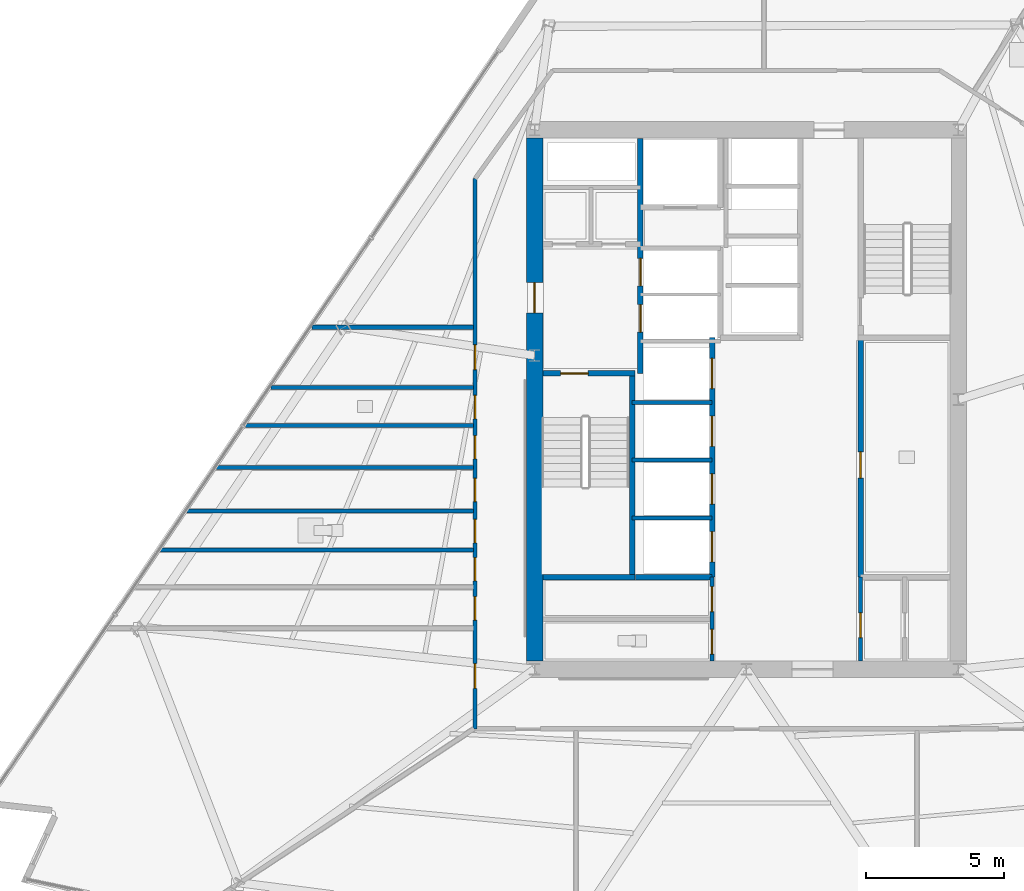
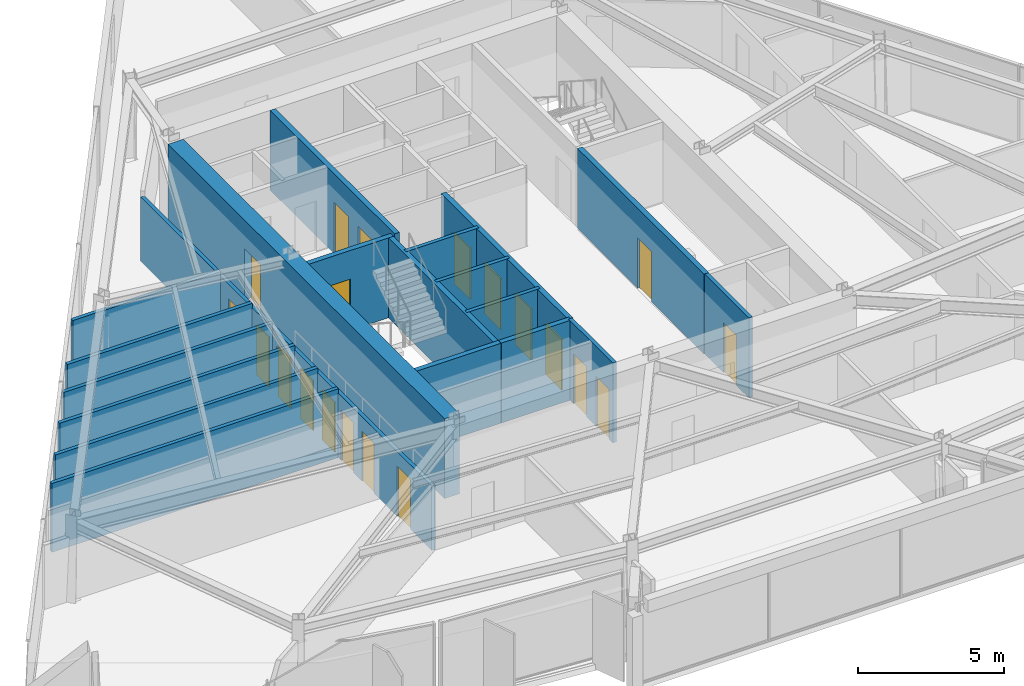
# One storey, part 8 of 15: 20 doors, 20 walls, 20 openings.
"""IFC4 building model written with IfcOpenShell, lengths in metres."""

import ifcopenshell
import ifcopenshell.guid

model = None  # the IFC model being written
_history = None  # IfcOwnerHistory: only IFC2X3 demands one
_inside = {}  # id of a spatial element -> (the spatial element, [elements in it])
_under = {}  # id of a project, library or spatial element -> (it, [spatial elements below it])
_declared = {}  # id of a project -> (the project, [libraries it declares])
_typed = {}  # id of a type object -> (the type object, [elements of that type])
_made_of = {}  # id of a material, layer set ... -> (it, [elements and type objects made of it])


def new_model(schema):
    """Start an empty IFC model of exactly this schema.

    Asked for "IFC4X3", IfcOpenShell would pick the latest addendum, in which some entities
    have other attributes; the version numbers below select the first issue.
    IFC2X3 requires an IfcOwnerHistory on every rooted entity: one is made here for all.
    """
    global model, _history
    if schema == "IFC4X3":
        model = ifcopenshell.file(schema_version=(4, 3, 0, 0))
    else:
        model = ifcopenshell.file(schema=schema)
    _inside.clear()
    _under.clear()
    _declared.clear()
    _typed.clear()
    _made_of.clear()
    _history = None
    if model.schema == "IFC2X3":
        org = make("IfcOrganization", Name="unknown")
        user = make(
            "IfcPersonAndOrganization",
            ThePerson=make("IfcPerson", FamilyName="unknown"),
            TheOrganization=org,
        )
        app = make(
            "IfcApplication",
            ApplicationDeveloper=org,
            Version="unknown",
            ApplicationFullName="unknown",
            ApplicationIdentifier="unknown",
        )
        _history = make(
            "IfcOwnerHistory",
            OwningUser=user,
            OwningApplication=app,
            ChangeAction="ADDED",
            CreationDate=0,
        )
    return model


def make(cls, **values):
    """One entity of the class cls with the attributes given. An attribute that is None is left unset."""
    return model.create_entity(
        cls, **{name: value for name, value in values.items() if value is not None}
    )


def rooted(cls, **values):
    """An entity with a GlobalId (a new one), such as an element, a storey or a relation."""
    return make(cls, GlobalId=ifcopenshell.guid.new(), OwnerHistory=_history, **values)


def si_unit(unit_type, name, prefix=None):
    """IfcSIUnit, for example si_unit("LENGTHUNIT", "METRE", prefix="MILLI")."""
    return make("IfcSIUnit", UnitType=unit_type, Prefix=prefix, Name=name)


def assignment(units):
    """IfcUnitAssignment: the units of a project."""
    return None if units is None else make("IfcUnitAssignment", Units=units)


def point(xyz):
    """IfcCartesianPoint."""
    return None if xyz is None else make("IfcCartesianPoint", Coordinates=xyz)


def direction(xyz):
    """IfcDirection."""
    return None if xyz is None else make("IfcDirection", DirectionRatios=xyz)


def frame(location, z_axis=None, x_axis=None):
    """IfcAxis2Placement3D, a coordinate frame: its origin and axes. An axis left out is left unset."""
    return make(
        "IfcAxis2Placement3D",
        Location=point(location),
        Axis=direction(z_axis),
        RefDirection=direction(x_axis),
    )


def frame_2d(location, x_axis=None):
    """IfcAxis2Placement2D, a coordinate frame in the plane: its origin and x axis."""
    return make(
        "IfcAxis2Placement2D", Location=point(location), RefDirection=direction(x_axis)
    )


def origin():
    """The frame at (0, 0, 0) with its axes left unset."""
    return frame((0.0, 0.0, 0.0))


def place(relative_to, where):
    """IfcLocalPlacement: puts the frame where relative to a parent placement (None: the world)."""
    return make(
        "IfcLocalPlacement", PlacementRelTo=relative_to, RelativePlacement=where
    )


def context(
    kind, dimensions, precision=None, world=None, true_north=None, identifier=None
):
    """IfcGeometricRepresentationContext, for example the 3D "Model" context."""
    return make(
        "IfcGeometricRepresentationContext",
        ContextIdentifier=identifier,
        ContextType=kind,
        CoordinateSpaceDimension=dimensions,
        Precision=precision,
        WorldCoordinateSystem=world,
        TrueNorth=true_north,
    )


def subcontext(parent, identifier, kind, view, scale=None):
    """IfcGeometricRepresentationSubContext, for example "Body" below "Model"."""
    return make(
        "IfcGeometricRepresentationSubContext",
        ContextIdentifier=identifier,
        ContextType=kind,
        ParentContext=parent,
        TargetScale=scale,
        TargetView=view,
    )


def project(units=None, contexts=None):
    """IfcProject with its units and contexts."""
    return rooted(
        "IfcProject",
        Name="project",
        RepresentationContexts=contexts,
        UnitsInContext=assignment(units),
    )


def spatial(cls, under=None, at=None, **own):
    """A site, building, storey or space (cls), placed at a placement, below another one or the project."""
    s = rooted(cls, ObjectPlacement=at, **own)
    if under is not None:
        _under.setdefault(under.id(), (under, []))[1].append(s)
    return s


def profile(cls, at=None, kind="AREA", **sizes):
    """A parametric profile (cls). Its sizes go by their IFC names, for example OverallWidth=200.0."""
    return make(cls, ProfileType=kind, Position=at, **sizes)


def rectangle(**sizes):
    """IfcRectangleProfileDef."""
    return profile("IfcRectangleProfileDef", **sizes)


def extrude(swept, where, along, depth):
    """IfcExtrudedAreaSolid: the profile swept, set in the frame where, extruded along a direction by depth."""
    return make(
        "IfcExtrudedAreaSolid",
        SweptArea=swept,
        Position=where,
        ExtrudedDirection=direction(along),
        Depth=depth,
    )


def shape(context_of_items, identifier, shape_type, items):
    """IfcShapeRepresentation: the items that make up one representation, for example the "Body"."""
    return make(
        "IfcShapeRepresentation",
        ContextOfItems=context_of_items,
        RepresentationIdentifier=identifier,
        RepresentationType=shape_type,
        Items=items,
    )


def material(Name=None, Category=None):
    """IfcMaterial."""
    return make("IfcMaterial", Name=Name, Category=Category)


def layer(
    of_material, thickness, ventilated=None, Name=None, Category=None, Priority=None
):
    """IfcMaterialLayer: one layer of a wall or slab, of a material (None: an air gap)."""
    return make(
        "IfcMaterialLayer",
        Material=of_material,
        LayerThickness=thickness,
        IsVentilated=ventilated,
        Name=Name,
        Category=Category,
        Priority=Priority,
    )


def layer_set(layers, Name=None):
    """IfcMaterialLayerSet."""
    return make("IfcMaterialLayerSet", MaterialLayers=layers, LayerSetName=Name)


def made_of(thing, what):
    """Note that an element or type object is made of a material, layer set ...; save() writes the relation."""
    if what is not None:
        _made_of.setdefault(what.id(), (what, []))[1].append(thing)
    return thing


def type_object(cls, material=None, **own):
    """A type object (cls), such as IfcWallType, which elements share."""
    return made_of(rooted(cls, **own), material)


def element(
    cls,
    number,
    at=None,
    inside=None,
    cuts=None,
    type_object=None,
    material=None,
    context=None,
    identifier="Body",
    shape_type=None,
    held_by="IfcProductDefinitionShape",
    body=None,
    shapes=None,
    **own,
):
    """One element of the class cls, such as IfcWall. Its Tag is "e" and its number.

    at: its placement. inside: the storey or other place that contains it. cuts: it is an
    opening in that element (IfcRelVoidsElement). A single representation is given by context,
    identifier, shape_type and body (its items); several are given by shapes. held_by: the class
    of the entity that holds the representations. save() writes the other relations.
    """
    e = rooted(cls, Tag="e%d" % number, ObjectPlacement=at, **own)
    if body is not None:
        shapes = [shape(context, identifier, shape_type, body)]
    if shapes is not None:
        e.Representation = make(held_by, Representations=shapes)
    if inside is not None:
        _inside.setdefault(inside.id(), (inside, []))[1].append(e)
    if cuts is not None:
        rooted(
            "IfcRelVoidsElement", RelatingBuildingElement=cuts, RelatedOpeningElement=e
        )
    if type_object is not None:
        _typed.setdefault(type_object.id(), (type_object, []))[1].append(e)
    return made_of(e, material)


def fill(opening, filler):
    """IfcRelFillsElement: the door or window that sits in an opening."""
    return rooted(
        "IfcRelFillsElement",
        RelatingOpeningElement=opening,
        RelatedBuildingElement=filler,
    )


def aggregate(whole, parts):
    """IfcRelAggregates: a whole, such as a stair, and the parts it consists of."""
    return rooted("IfcRelAggregates", RelatingObject=whole, RelatedObjects=parts)


def save(model, path):
    """Write the relations noted so far, then the file.

    IfcRelAggregates (storeys below a building ...), IfcRelContainedInSpatialStructure (elements
    in a storey), IfcRelDefinesByType, IfcRelAssociatesMaterial and IfcRelDeclares: one each for
    every whole, place, type object, material and project.
    """
    for whole, parts in _under.values():
        aggregate(whole, parts)
    for where, things in _inside.values():
        rooted(
            "IfcRelContainedInSpatialStructure",
            RelatedElements=things,
            RelatingStructure=where,
        )
    for kind, things in _typed.values():
        rooted("IfcRelDefinesByType", RelatedObjects=things, RelatingType=kind)
    for what, things in _made_of.values():
        rooted("IfcRelAssociatesMaterial", RelatedObjects=things, RelatingMaterial=what)
    for by, libraries in _declared.values():
        rooted("IfcRelDeclares", RelatingContext=by, RelatedDefinitions=libraries)
    model.write(path)


model = new_model("IFC4")

# Units and contexts
model_context = context("Model", 3, precision=1e-05, world=origin(), true_north=direction((0.0, 1.0)))
body_context = subcontext(model_context, "Body", "Model", "MODEL_VIEW")
ifc_project = project(units=[si_unit("LENGTHUNIT", "METRE"), si_unit("AREAUNIT", "SQUARE_METRE"), si_unit("VOLUMEUNIT", "CUBIC_METRE"), si_unit("PLANEANGLEUNIT", "RADIAN"), si_unit("MASSUNIT", "GRAM", prefix="KILO")], contexts=[model_context])

# Site, building, storey
site_placement = place(None, origin())
site = spatial("IfcSite", under=ifc_project, at=site_placement, CompositionType="ELEMENT")
building_placement = place(site_placement, origin())
building = spatial("IfcBuilding", under=site, at=building_placement, Name="Savorim Split Tower", CompositionType="ELEMENT")
storey_placement = place(building_placement, frame((0.0, 0.0, 118.5)))
storey = spatial("IfcBuildingStorey", under=building, at=storey_placement, Name="L31", CompositionType="ELEMENT", Elevation=118.5)

# Wall, opening, door
ifc_material_1 = material(Name="Concrete C60/75", Category="concrete")
ifc_layer_1 = layer(ifc_material_1, 0.60009765625)
ifc_layer_set_1 = layer_set([ifc_layer_1], Name="WAL-COR-SH600")
wall_type_1 = type_object("IfcWallType", Name="WAL-COR-SH600", PredefinedType="SHEAR", material=ifc_layer_set_1)
wall_1_placement = place(storey_placement, frame((-7.699951171875, -9.10009765625, 0.0), z_axis=(0.0, 0.0, 1.0), x_axis=(0.0, 1.0, 0.0)))
wall_1 = element("IfcWall", 1, at=wall_1_placement, inside=storey, type_object=wall_type_1, Name="L31 Offset Core West Shear Wall", PredefinedType="SHEAR", context=body_context, shape_type="SweptSolid", body=[
    extrude(rectangle(XDim=19.0, YDim=0.60009765625, at=frame_2d((9.5, 0.0))), origin(), (0.0, 0.0, 1.0), 3.35009765625),
])
opening_1_placement = place(wall_1_placement, frame((12.64990234375, 0.0, 0.0)))
opening_1 = element("IfcOpeningElement", 2, at=opening_1_placement, cuts=wall_1, Name="Opening DI-03", PredefinedType="OPENING", context=body_context, shape_type="SweptSolid", body=[
    extrude(rectangle(XDim=1.10009765625, YDim=2.14990234375, at=frame_2d((0.550048828125, 1.074951171875))), frame((0.0, 0.31005859375, 0.0), z_axis=(0.0, -1.0, 0.0), x_axis=(1.0, 0.0, 0.0)), (0.0, 0.0, 1.0), 0.6201171875),
])
ifc_material_2 = material(Name="Timber Fire Door Leaf", Category="wood")
door_type_1 = type_object("IfcDoorType", Name="DOR-FIR-1100", OperationType="NOTDEFINED", PredefinedType="DOOR", material=ifc_material_2)
door_1_placement = place(opening_1_placement, origin())
door_1 = element("IfcDoor", 3, at=door_1_placement, inside=storey, type_object=door_type_1, Name="DOR-L31-COR-FFLOB - L31 Firefighting Lobby Corridor Door", OperationType="SINGLE_SWING_LEFT", OverallHeight=2.14990234375, OverallWidth=1.10009765625, PredefinedType="DOOR", context=body_context, shape_type="SweptSolid", body=[
    extrude(rectangle(XDim=1.10009765625, YDim=2.14990234375, at=frame_2d((0.550048828125, 1.074951171875))), frame((0.0, 0.02490234375, 0.0), z_axis=(0.0, -1.0, 0.0), x_axis=(1.0, 0.0, 0.0)), (0.0, 0.0, 1.0), 0.050048828125),
])
fill(opening_1, door_1)

ifc_material_3 = material(Name="Concrete C50/60", Category="concrete")
ifc_layer_2 = layer(ifc_material_3, 0.199951171875)
ifc_layer_set_2 = layer_set([ifc_layer_2], Name="WAL-INT-RC200")
wall_type_2 = type_object("IfcWallType", Name="WAL-INT-RC200", PredefinedType="SOLIDWALL", material=ifc_layer_set_2)
wall_2_placement = place(storey_placement, frame((-7.39990234375, 1.35009765625, 0.0), z_axis=(0.0, 0.0, 1.0), x_axis=(1.0, 0.0, 0.0)))
wall_2 = element("IfcWall", 4, at=wall_2_placement, inside=storey, type_object=wall_type_2, Name="L31 Structural Shaft Wall W-L31-CR01", PredefinedType="SOLIDWALL", context=body_context, shape_type="SweptSolid", body=[
    extrude(rectangle(XDim=3.349853515625, YDim=0.199951171875, at=frame_2d((1.6748046875, 0.0))), origin(), (0.0, 0.0, 1.0), 3.35009765625),
])
opening_2_placement = place(wall_2_placement, frame((0.64990234375, 0.0, 0.0)))
opening_2 = element("IfcOpeningElement", 5, at=opening_2_placement, cuts=wall_2, Name="Opening DI-04", PredefinedType="OPENING", context=body_context, shape_type="SweptSolid", body=[
    extrude(rectangle(XDim=1.0, YDim=2.14990234375, at=frame_2d((0.5, 1.074951171875))), frame((0.0, 0.10986328125, 0.0), z_axis=(0.0, -1.0, 0.0), x_axis=(1.0, 0.0, 0.0)), (0.0, 0.0, 1.0), 0.219970703125),
])
door_type_2 = type_object("IfcDoorType", Name="DOR-FIR-1000", OperationType="NOTDEFINED", PredefinedType="DOOR", material=ifc_material_2)
door_2_placement = place(opening_2_placement, origin())
door_2 = element("IfcDoor", 6, at=door_2_placement, inside=storey, type_object=door_type_2, Name="DR-L31-ST1 - L31 Stair ST-1 Enclosure Door", OperationType="SINGLE_SWING_LEFT", OverallHeight=2.14990234375, OverallWidth=1.0, PredefinedType="DOOR", context=body_context, shape_type="SweptSolid", body=[
    extrude(rectangle(XDim=1.0, YDim=2.14990234375, at=frame_2d((0.5, 1.074951171875))), frame((0.0, 0.02490234375, 0.0), z_axis=(0.0, -1.0, 0.0), x_axis=(1.0, 0.0, 0.0)), (0.0, 0.0, 1.0), 0.050048828125),
])
fill(opening_2, door_2)

# Wall
wall_3_placement = place(storey_placement, frame((-4.14990234375, -5.949951171875, 0.0), z_axis=(0.0, 0.0, 1.0), x_axis=(0.0, 1.0, 0.0)))
element("IfcWall", 7, at=wall_3_placement, inside=storey, type_object=wall_type_2, Name="L31 Structural Shaft Wall W-L31-CR02", PredefinedType="SOLIDWALL", context=body_context, shape_type="SweptSolid", body=[
    extrude(rectangle(XDim=7.199951171875, YDim=0.199951171875, at=frame_2d((3.60009765625, 0.0))), origin(), (0.0, 0.0, 1.0), 3.35009765625),
])

# Wall, openings, doors
wall_4_placement = place(storey_placement, frame((-3.85009765625, 1.35009765625, 0.0), z_axis=(0.0, 0.0, 1.0), x_axis=(0.0, 1.0, 0.0)))
wall_4 = element("IfcWall", 8, at=wall_4_placement, inside=storey, type_object=wall_type_2, Name="L31 Partition W-L31-CR03", PredefinedType="SOLIDWALL", context=body_context, shape_type="SweptSolid", body=[
    extrude(rectangle(XDim=8.544921875, YDim=0.199951171875, at=frame_2d((4.2724609375, 0.0))), origin(), (0.0, 0.0, 1.0), 3.35009765625),
])
opening_3_placement = place(wall_4_placement, frame((1.5, 0.0, 0.0)))
opening_3 = element("IfcOpeningElement", 9, at=opening_3_placement, cuts=wall_4, Name="Opening LD-FFL", PredefinedType="OPENING", context=body_context, shape_type="SweptSolid", body=[
    extrude(rectangle(XDim=1.0, YDim=2.14990234375, at=frame_2d((0.5, 1.074951171875))), frame((0.0, 0.10986328125, 0.0), z_axis=(0.0, -1.0, 0.0), x_axis=(1.0, 0.0, 0.0)), (0.0, 0.0, 1.0), 0.219970703125),
])
opening_4_placement = place(wall_4_placement, frame((3.179931640625, 0.0, 0.0)))
opening_4 = element("IfcOpeningElement", 10, at=opening_4_placement, cuts=wall_4, Name="Opening LD-FFL", PredefinedType="OPENING", context=body_context, shape_type="SweptSolid", body=[
    extrude(rectangle(XDim=1.0, YDim=2.14990234375, at=frame_2d((0.5, 1.074951171875))), frame((0.0, 0.10986328125, 0.0), z_axis=(0.0, -1.0, 0.0), x_axis=(1.0, 0.0, 0.0)), (0.0, 0.0, 1.0), 0.219970703125),
])
ifc_material_4 = material(Name="Charcoal Anodised Aluminium", Category="aluminium")
door_type_3 = type_object("IfcDoorType", Name="DOR-SLD-LD1000", OperationType="NOTDEFINED", PredefinedType="DOOR", material=ifc_material_4)
door_3_placement = place(opening_3_placement, origin())
door_3 = element("IfcDoor", 11, at=door_3_placement, inside=storey, type_object=door_type_3, Name="DR-L31-LD-FFL1 - L31 Firefighting Lift FFL-1 Sliding Landing Door", OperationType="DOUBLE_DOOR_SLIDING", OverallHeight=2.14990234375, OverallWidth=1.0, PredefinedType="DOOR", context=body_context, shape_type="SweptSolid", body=[
    extrude(rectangle(XDim=1.0, YDim=2.14990234375, at=frame_2d((0.5, 1.074951171875))), frame((0.0, 0.02490234375, 0.0), z_axis=(0.0, -1.0, 0.0), x_axis=(1.0, 0.0, 0.0)), (0.0, 0.0, 1.0), 0.050048828125),
])
fill(opening_3, door_3)
door_4_placement = place(opening_4_placement, origin())
door_4 = element("IfcDoor", 12, at=door_4_placement, inside=storey, type_object=door_type_3, Name="DR-L31-LD-FFL2 - L31 Firefighting Lift FFL-2 Sliding Landing Door", OperationType="DOUBLE_DOOR_SLIDING", OverallHeight=2.14990234375, OverallWidth=1.0, PredefinedType="DOOR", context=body_context, shape_type="SweptSolid", body=[
    extrude(rectangle(XDim=1.0, YDim=2.14990234375, at=frame_2d((0.5, 1.074951171875))), frame((0.0, 0.02490234375, 0.0), z_axis=(0.0, -1.0, 0.0), x_axis=(1.0, 0.0, 0.0)), (0.0, 0.0, 1.0), 0.050048828125),
])
fill(opening_4, door_4)

# Wall, opening, door
wall_5_placement = place(storey_placement, frame((4.14990234375, -6.050048828125, 0.0), z_axis=(0.0, 0.0, 1.0), x_axis=(0.0, 1.0, 0.0)))
wall_5 = element("IfcWall", 13, at=wall_5_placement, inside=storey, type_object=wall_type_2, Name="L31 Partition W-L31-B1FRONT", PredefinedType="SOLIDWALL", context=body_context, shape_type="SweptSolid", body=[
    extrude(rectangle(XDim=8.699951171875, YDim=0.199951171875, at=frame_2d((4.35009765625, 0.0))), origin(), (0.0, 0.0, 1.0), 3.35009765625),
])
opening_5_placement = place(wall_5_placement, frame((3.60009765625, 0.0, 0.0)))
opening_5 = element("IfcOpeningElement", 14, at=opening_5_placement, cuts=wall_5, Name="Opening DI-05", PredefinedType="OPENING", context=body_context, shape_type="SweptSolid", body=[
    extrude(rectangle(XDim=0.949951171875, YDim=2.10009765625, at=frame_2d((0.47509765625, 1.050048828125))), frame((0.0, 0.10986328125, 0.0), z_axis=(0.0, -1.0, 0.0), x_axis=(1.0, 0.0, 0.0)), (0.0, 0.0, 1.0), 0.219970703125),
])
door_type_4 = type_object("IfcDoorType", Name="DOR-FIR-950", OperationType="NOTDEFINED", PredefinedType="DOOR", material=ifc_material_2)
door_5_placement = place(opening_5_placement, origin())
door_5 = element("IfcDoor", 15, at=door_5_placement, inside=storey, type_object=door_type_4, Name="DR-L31-LV7B1 - L31 Community Laundry Room Door", OperationType="SINGLE_SWING_RIGHT", OverallHeight=2.10009765625, OverallWidth=0.949951171875, PredefinedType="DOOR", context=body_context, shape_type="SweptSolid", body=[
    extrude(rectangle(XDim=0.949951171875, YDim=2.10009765625, at=frame_2d((0.47509765625, 1.050048828125))), frame((0.0, 0.02490234375, 0.0), z_axis=(0.0, -1.0, 0.0), x_axis=(1.0, 0.0, 0.0)), (0.0, 0.0, 1.0), 0.050048828125),
])
fill(opening_5, door_5)

# Wall, openings, doors
wall_6_placement = place(storey_placement, frame((-1.25, -6.050048828125, 0.0), z_axis=(0.0, 0.0, 1.0), x_axis=(0.0, 1.0, 0.0)))
wall_6 = element("IfcWall", 16, at=wall_6_placement, inside=storey, type_object=wall_type_2, Name="L31 Partition W-L31-B2FRONT", PredefinedType="SOLIDWALL", context=body_context, shape_type="SweptSolid", body=[
    extrude(rectangle(XDim=8.699951171875, YDim=0.199951171875, at=frame_2d((4.35009765625, 0.0))), origin(), (0.0, 0.0, 1.0), 3.35009765625),
])
opening_6_placement = place(wall_6_placement, frame((0.550048828125, 0.0, 0.0)))
opening_6 = element("IfcOpeningElement", 17, at=opening_6_placement, cuts=wall_6, Name="Opening LD-02", PredefinedType="OPENING", context=body_context, shape_type="SweptSolid", body=[
    extrude(rectangle(XDim=1.10009765625, YDim=2.14990234375, at=frame_2d((0.550048828125, 1.074951171875))), frame((0.0, 0.10986328125, 0.0), z_axis=(0.0, -1.0, 0.0), x_axis=(1.0, 0.0, 0.0)), (0.0, 0.0, 1.0), 0.219970703125),
])
opening_7_placement = place(wall_6_placement, frame((2.64990234375, 0.0, 0.0)))
opening_7 = element("IfcOpeningElement", 18, at=opening_7_placement, cuts=wall_6, Name="Opening LD-02", PredefinedType="OPENING", context=body_context, shape_type="SweptSolid", body=[
    extrude(rectangle(XDim=1.10009765625, YDim=2.14990234375, at=frame_2d((0.550048828125, 1.074951171875))), frame((0.0, 0.10986328125, 0.0), z_axis=(0.0, -1.0, 0.0), x_axis=(1.0, 0.0, 0.0)), (0.0, 0.0, 1.0), 0.219970703125),
])
opening_8_placement = place(wall_6_placement, frame((4.75, 0.0, 0.0)))
opening_8 = element("IfcOpeningElement", 19, at=opening_8_placement, cuts=wall_6, Name="Opening LD-02", PredefinedType="OPENING", context=body_context, shape_type="SweptSolid", body=[
    extrude(rectangle(XDim=1.10009765625, YDim=2.14990234375, at=frame_2d((0.550048828125, 1.074951171875))), frame((0.0, 0.10986328125, 0.0), z_axis=(0.0, -1.0, 0.0), x_axis=(1.0, 0.0, 0.0)), (0.0, 0.0, 1.0), 0.219970703125),
])
opening_9_placement = place(wall_6_placement, frame((6.85009765625, 0.0, 0.0)))
opening_9 = element("IfcOpeningElement", 20, at=opening_9_placement, cuts=wall_6, Name="Opening LD-02", PredefinedType="OPENING", context=body_context, shape_type="SweptSolid", body=[
    extrude(rectangle(XDim=1.10009765625, YDim=2.14990234375, at=frame_2d((0.550048828125, 1.074951171875))), frame((0.0, 0.10986328125, 0.0), z_axis=(0.0, -1.0, 0.0), x_axis=(1.0, 0.0, 0.0)), (0.0, 0.0, 1.0), 0.219970703125),
])
door_type_5 = type_object("IfcDoorType", Name="DOR-SLD-LDM1100", OperationType="NOTDEFINED", PredefinedType="DOOR", material=ifc_material_4)
door_6_placement = place(opening_6_placement, origin())
door_6 = element("IfcDoor", 21, at=door_6_placement, inside=storey, type_object=door_type_5, Name="DR-L31-LD-PLM1 - L31 Lift PL-M1 Sliding Landing Door", OperationType="DOUBLE_DOOR_SLIDING", OverallHeight=2.14990234375, OverallWidth=1.10009765625, PredefinedType="DOOR", context=body_context, shape_type="SweptSolid", body=[
    extrude(rectangle(XDim=1.10009765625, YDim=2.14990234375, at=frame_2d((0.550048828125, 1.074951171875))), frame((0.0, 0.02490234375, 0.0), z_axis=(0.0, -1.0, 0.0), x_axis=(1.0, 0.0, 0.0)), (0.0, 0.0, 1.0), 0.050048828125),
])
fill(opening_6, door_6)
door_7_placement = place(opening_7_placement, origin())
door_7 = element("IfcDoor", 22, at=door_7_placement, inside=storey, type_object=door_type_5, Name="DR-L31-LD-PLM2 - L31 Lift PL-M2 Sliding Landing Door", OperationType="DOUBLE_DOOR_SLIDING", OverallHeight=2.14990234375, OverallWidth=1.10009765625, PredefinedType="DOOR", context=body_context, shape_type="SweptSolid", body=[
    extrude(rectangle(XDim=1.10009765625, YDim=2.14990234375, at=frame_2d((0.550048828125, 1.074951171875))), frame((0.0, 0.02490234375, 0.0), z_axis=(0.0, -1.0, 0.0), x_axis=(1.0, 0.0, 0.0)), (0.0, 0.0, 1.0), 0.050048828125),
])
fill(opening_7, door_7)
door_8_placement = place(opening_8_placement, origin())
door_8 = element("IfcDoor", 23, at=door_8_placement, inside=storey, type_object=door_type_5, Name="DR-L31-LD-PLM3 - L31 Lift PL-M3 Sliding Landing Door", OperationType="DOUBLE_DOOR_SLIDING", OverallHeight=2.14990234375, OverallWidth=1.10009765625, PredefinedType="DOOR", context=body_context, shape_type="SweptSolid", body=[
    extrude(rectangle(XDim=1.10009765625, YDim=2.14990234375, at=frame_2d((0.550048828125, 1.074951171875))), frame((0.0, 0.02490234375, 0.0), z_axis=(0.0, -1.0, 0.0), x_axis=(1.0, 0.0, 0.0)), (0.0, 0.0, 1.0), 0.050048828125),
])
fill(opening_8, door_8)
door_9_placement = place(opening_9_placement, origin())
door_9 = element("IfcDoor", 24, at=door_9_placement, inside=storey, type_object=door_type_5, Name="DR-L31-LD-PLM4 - L31 Lift PL-M4 Sliding Landing Door", OperationType="DOUBLE_DOOR_SLIDING", OverallHeight=2.14990234375, OverallWidth=1.10009765625, PredefinedType="DOOR", context=body_context, shape_type="SweptSolid", body=[
    extrude(rectangle(XDim=1.10009765625, YDim=2.14990234375, at=frame_2d((0.550048828125, 1.074951171875))), frame((0.0, 0.02490234375, 0.0), z_axis=(0.0, -1.0, 0.0), x_axis=(1.0, 0.0, 0.0)), (0.0, 0.0, 1.0), 0.050048828125),
])
fill(opening_9, door_9)

# Walls
wall_7_placement = place(storey_placement, frame((-7.39990234375, -6.050048828125, 0.0), z_axis=(0.0, 0.0, 1.0), x_axis=(1.0, 0.0, 0.0)))
element("IfcWall", 25, at=wall_7_placement, inside=storey, type_object=wall_type_2, Name="L31 Structural Shaft Wall W-L31-KSEP-W", PredefinedType="SOLIDWALL", context=body_context, shape_type="SweptSolid", body=[
    extrude(rectangle(XDim=3.349853515625, YDim=0.199951171875, at=frame_2d((1.6748046875, 0.0))), origin(), (0.0, 0.0, 1.0), 3.35009765625),
])
wall_8_placement = place(storey_placement, frame((-4.0400390625, -6.050048828125, 0.0), z_axis=(0.0, 0.0, 1.0), x_axis=(1.0, 0.0, 0.0)))
element("IfcWall", 26, at=wall_8_placement, inside=storey, type_object=wall_type_2, Name="L31 Partition W-L31-KSEP-W2", PredefinedType="SOLIDWALL", context=body_context, shape_type="SweptSolid", body=[
    extrude(rectangle(XDim=2.7900390625, YDim=0.199951171875, at=frame_2d((1.39501953125, 0.0))), origin(), (0.0, 0.0, 1.0), 3.35009765625),
])
ifc_material_5 = material(Name="Acoustic Gypsum Partition Board")
ifc_layer_3 = layer(ifc_material_5, 0.14990234375)
ifc_layer_set_3 = layer_set([ifc_layer_3], Name="WAL-PAR-150")
wall_type_3 = type_object("IfcWallType", Name="WAL-PAR-150", PredefinedType="PARTITIONING", material=ifc_layer_set_3)
for number, where, z_axis, x_axis, name in (
    (27, (-4.14990234375, -3.89990234375, 0.0), (0.0, 0.0, 1.0), (1.0, 0.0, 0.0), "L31 Partition W-L31-B2DIV1"),
    (28, (-4.14990234375, -1.800048828125, 0.0), (0.0, 0.0, 1.0), (1.0, 0.0, 0.0), "L31 Partition W-L31-B2DIV2"),
    (29, (-4.14990234375, 0.300048828125, 0.0), (0.0, 0.0, 1.0), (1.0, 0.0, 0.0), "L31 Partition W-L31-B2DIV3"),
):
    element("IfcWall", number, at=place(storey_placement, frame(where, z_axis=z_axis, x_axis=x_axis)), inside=storey, type_object=wall_type_3, Name=name, PredefinedType="PARTITIONING", context=body_context, shape_type="SweptSolid", body=[
        extrude(rectangle(XDim=2.89990234375, YDim=0.14990234375, at=frame_2d((1.449951171875, 0.0))), origin(), (0.0, 0.0, 1.0), 3.35009765625),
    ])

# Wall, openings, doors
wall_9_placement = place(storey_placement, frame((-1.25, -9.094970703125, 0.0), z_axis=(0.0, 0.0, 1.0), x_axis=(0.0, 1.0, 0.0)))
wall_9 = element("IfcWall", 30, at=wall_9_placement, inside=storey, type_object=wall_type_3, Name="L31 Partition W-L31-KLOB-W", PredefinedType="PARTITIONING", context=body_context, shape_type="SweptSolid", body=[
    extrude(rectangle(XDim=3.044921875, YDim=0.14990234375, at=frame_2d((1.5224609375, 0.0))), origin(), (0.0, 0.0, 1.0), 3.35009765625),
])
opening_10_placement = place(wall_9_placement, frame((1.794921875, 0.0, 0.0)))
opening_10 = element("IfcOpeningElement", 31, at=opening_10_placement, cuts=wall_9, Name="Opening DI-06", PredefinedType="OPENING", context=body_context, shape_type="SweptSolid", body=[
    extrude(rectangle(XDim=0.89990234375, YDim=2.10009765625, at=frame_2d((0.449951171875, 1.050048828125))), frame((0.0, 0.0849609375, 0.0), z_axis=(0.0, -1.0, 0.0), x_axis=(1.0, 0.0, 0.0)), (0.0, 0.0, 1.0), 0.169921875),
])
opening_11_placement = place(wall_9_placement, frame((0.2451171875, 0.0, 0.0)))
opening_11 = element("IfcOpeningElement", 32, at=opening_11_placement, cuts=wall_9, Name="Opening DI-11", PredefinedType="OPENING", context=body_context, shape_type="SweptSolid", body=[
    extrude(rectangle(XDim=0.89990234375, YDim=2.10009765625, at=frame_2d((0.449951171875, 1.050048828125))), frame((0.0, 0.0849609375, 0.0), z_axis=(0.0, -1.0, 0.0), x_axis=(1.0, 0.0, 0.0)), (0.0, 0.0, 1.0), 0.169921875),
])
door_type_6 = type_object("IfcDoorType", Name="DOR-FIR-900", OperationType="NOTDEFINED", PredefinedType="DOOR", material=ifc_material_2)
door_10_placement = place(opening_10_placement, origin())
door_10 = element("IfcDoor", 33, at=door_10_placement, inside=storey, type_object=door_type_6, Name="DR-L31-K2CLN - L31 Cleaning Store Door", OperationType="SINGLE_SWING_LEFT", OverallHeight=2.10009765625, OverallWidth=0.89990234375, PredefinedType="DOOR", context=body_context, shape_type="SweptSolid", body=[
    extrude(rectangle(XDim=0.89990234375, YDim=2.10009765625, at=frame_2d((0.449951171875, 1.050048828125))), frame((0.0, 0.02490234375, 0.0), z_axis=(0.0, -1.0, 0.0), x_axis=(1.0, 0.0, 0.0)), (0.0, 0.0, 1.0), 0.050048828125),
])
fill(opening_10, door_10)
ifc_material_6 = material(Name="Oak Veneer Acoustic Door")
door_type_7 = type_object("IfcDoorType", Name="DOR-WC-900", OperationType="NOTDEFINED", PredefinedType="DOOR", material=ifc_material_6)
door_11_placement = place(opening_11_placement, origin())
door_11 = element("IfcDoor", 34, at=door_11_placement, inside=storey, type_object=door_type_7, Name="DR-L31-K2WC - L31 Core WC Door", OperationType="SINGLE_SWING_RIGHT", OverallHeight=2.10009765625, OverallWidth=0.89990234375, PredefinedType="DOOR", context=body_context, shape_type="SweptSolid", body=[
    extrude(rectangle(XDim=0.89990234375, YDim=2.10009765625, at=frame_2d((0.449951171875, 1.050048828125))), frame((0.0, 0.02490234375, 0.0), z_axis=(0.0, -1.0, 0.0), x_axis=(1.0, 0.0, 0.0)), (0.0, 0.0, 1.0), 0.050048828125),
])
fill(opening_11, door_11)

# Wall, opening, door
wall_10_placement = place(storey_placement, frame((4.14990234375, -9.094970703125, 0.0), z_axis=(0.0, 0.0, 1.0), x_axis=(0.0, 1.0, 0.0)))
wall_10 = element("IfcWall", 35, at=wall_10_placement, inside=storey, type_object=wall_type_3, Name="L31 Partition W-L31-KLOB-E", PredefinedType="PARTITIONING", context=body_context, shape_type="SweptSolid", body=[
    extrude(rectangle(XDim=3.044921875, YDim=0.14990234375, at=frame_2d((1.5224609375, 0.0))), origin(), (0.0, 0.0, 1.0), 3.35009765625),
])
opening_12_placement = place(wall_10_placement, frame((0.844970703125, 0.0, 0.0)))
opening_12 = element("IfcOpeningElement", 36, at=opening_12_placement, cuts=wall_10, Name="Opening DI-06", PredefinedType="OPENING", context=body_context, shape_type="SweptSolid", body=[
    extrude(rectangle(XDim=0.89990234375, YDim=2.10009765625, at=frame_2d((0.449951171875, 1.050048828125))), frame((0.0, 0.0849609375, 0.0), z_axis=(0.0, -1.0, 0.0), x_axis=(1.0, 0.0, 0.0)), (0.0, 0.0, 1.0), 0.169921875),
])
door_12_placement = place(opening_12_placement, origin())
door_12 = element("IfcDoor", 37, at=door_12_placement, inside=storey, type_object=door_type_6, Name="DR-L31-K2PAN - L31 Vending Pantry Door", OperationType="SINGLE_SWING_LEFT", OverallHeight=2.10009765625, OverallWidth=0.89990234375, PredefinedType="DOOR", context=body_context, shape_type="SweptSolid", body=[
    extrude(rectangle(XDim=0.89990234375, YDim=2.10009765625, at=frame_2d((0.449951171875, 1.050048828125))), frame((0.0, 0.02490234375, 0.0), z_axis=(0.0, -1.0, 0.0), x_axis=(1.0, 0.0, 0.0)), (0.0, 0.0, 1.0), 0.050048828125),
])
fill(opening_12, door_12)

# Wall, openings, doors
wall_11_placement = place(storey_placement, frame((-9.860107421875, -11.56005859375, 0.0), z_axis=(0.0, 0.0, 1.0), x_axis=(0.0, 1.0, 0.0)))
wall_11 = element("IfcWall", 38, at=wall_11_placement, inside=storey, type_object=wall_type_3, Name="L31 Partition W-L31-COR-01", PredefinedType="PARTITIONING", context=body_context, shape_type="SweptSolid", body=[
    extrude(rectangle(XDim=19.98583984375, YDim=0.14990234375, at=frame_2d((9.992919921875, 0.0))), origin(), (0.0, 0.0, 1.0), 2.705078125),
])
opening_13_placement = place(wall_11_placement, frame((11.2607421875, 0.0, 0.0)))
opening_13 = element("IfcOpeningElement", 39, at=opening_13_placement, cuts=wall_11, Name="Opening DI-13", PredefinedType="OPENING", context=body_context, shape_type="SweptSolid", body=[
    extrude(rectangle(XDim=0.85009765625, YDim=2.10009765625, at=frame_2d((0.425048828125, 1.050048828125))), frame((0.0, 0.0849609375, 0.0), z_axis=(0.0, -1.0, 0.0), x_axis=(1.0, 0.0, 0.0)), (0.0, 0.0, 1.0), 0.169921875),
])
opening_14_placement = place(wall_11_placement, frame((9.802001953125, 0.0, 0.0)))
opening_14 = element("IfcOpeningElement", 40, at=opening_14_placement, cuts=wall_11, Name="Opening DI-13", PredefinedType="OPENING", context=body_context, shape_type="SweptSolid", body=[
    extrude(rectangle(XDim=0.85009765625, YDim=2.10009765625, at=frame_2d((0.425048828125, 1.050048828125))), frame((0.0, 0.0849609375, 0.0), z_axis=(0.0, -1.0, 0.0), x_axis=(1.0, 0.0, 0.0)), (0.0, 0.0, 1.0), 0.169921875),
])
opening_15_placement = place(wall_11_placement, frame((8.250244140625, 0.0, 0.0)))
opening_15 = element("IfcOpeningElement", 41, at=opening_15_placement, cuts=wall_11, Name="Opening DI-13", PredefinedType="OPENING", context=body_context, shape_type="SweptSolid", body=[
    extrude(rectangle(XDim=0.85009765625, YDim=2.10009765625, at=frame_2d((0.425048828125, 1.050048828125))), frame((0.0, 0.0849609375, 0.0), z_axis=(0.0, -1.0, 0.0), x_axis=(1.0, 0.0, 0.0)), (0.0, 0.0, 1.0), 0.169921875),
])
opening_16_placement = place(wall_11_placement, frame((6.75390625, 0.0, 0.0)))
opening_16 = element("IfcOpeningElement", 42, at=opening_16_placement, cuts=wall_11, Name="Opening DI-13", PredefinedType="OPENING", context=body_context, shape_type="SweptSolid", body=[
    extrude(rectangle(XDim=0.85009765625, YDim=2.10009765625, at=frame_2d((0.425048828125, 1.050048828125))), frame((0.0, 0.0849609375, 0.0), z_axis=(0.0, -1.0, 0.0), x_axis=(1.0, 0.0, 0.0)), (0.0, 0.0, 1.0), 0.169921875),
])
opening_17_placement = place(wall_11_placement, frame((5.369384765625, 0.0, 0.0)))
opening_17 = element("IfcOpeningElement", 43, at=opening_17_placement, cuts=wall_11, Name="Opening DI-13", PredefinedType="OPENING", context=body_context, shape_type="SweptSolid", body=[
    extrude(rectangle(XDim=0.85009765625, YDim=2.10009765625, at=frame_2d((0.425048828125, 1.050048828125))), frame((0.0, 0.0849609375, 0.0), z_axis=(0.0, -1.0, 0.0), x_axis=(1.0, 0.0, 0.0)), (0.0, 0.0, 1.0), 0.169921875),
])
opening_18_placement = place(wall_11_placement, frame((3.9482421875, 0.0, 0.0)))
opening_18 = element("IfcOpeningElement", 44, at=opening_18_placement, cuts=wall_11, Name="Opening DI-13", PredefinedType="OPENING", context=body_context, shape_type="SweptSolid", body=[
    extrude(rectangle(XDim=0.85009765625, YDim=2.10009765625, at=frame_2d((0.425048828125, 1.050048828125))), frame((0.0, 0.0849609375, 0.0), z_axis=(0.0, -1.0, 0.0), x_axis=(1.0, 0.0, 0.0)), (0.0, 0.0, 1.0), 0.169921875),
])
opening_19_placement = place(wall_11_placement, frame((1.46484375, 0.0, 0.0)))
opening_19 = element("IfcOpeningElement", 45, at=opening_19_placement, cuts=wall_11, Name="Opening DI-06", PredefinedType="OPENING", context=body_context, shape_type="SweptSolid", body=[
    extrude(rectangle(XDim=0.89990234375, YDim=2.10009765625, at=frame_2d((0.449951171875, 1.050048828125))), frame((0.0, 0.0849609375, 0.0), z_axis=(0.0, -1.0, 0.0), x_axis=(1.0, 0.0, 0.0)), (0.0, 0.0, 1.0), 0.169921875),
])
opening_20_placement = place(wall_11_placement, frame((13.046630859375, 0.0, 0.0)))
opening_20 = element("IfcOpeningElement", 46, at=opening_20_placement, cuts=wall_11, Name="Opening DI-06", PredefinedType="OPENING", context=body_context, shape_type="SweptSolid", body=[
    extrude(rectangle(XDim=0.89990234375, YDim=2.10009765625, at=frame_2d((0.449951171875, 1.050048828125))), frame((0.0, 0.0849609375, 0.0), z_axis=(0.0, -1.0, 0.0), x_axis=(1.0, 0.0, 0.0)), (0.0, 0.0, 1.0), 0.169921875),
])
door_type_8 = type_object("IfcDoorType", Name="DOR-FIR-850", OperationType="NOTDEFINED", PredefinedType="DOOR", material=ifc_material_2)
door_13_placement = place(opening_13_placement, origin())
door_13 = element("IfcDoor", 47, at=door_13_placement, inside=storey, type_object=door_type_8, Name="DR-L31-RM01 - L31 Shared Kitchen Entry Door", OperationType="SINGLE_SWING_RIGHT", OverallHeight=2.10009765625, OverallWidth=0.85009765625, PredefinedType="DOOR", context=body_context, shape_type="SweptSolid", body=[
    extrude(rectangle(XDim=0.85009765625, YDim=2.10009765625, at=frame_2d((0.425048828125, 1.050048828125))), frame((0.0, 0.02490234375, 0.0), z_axis=(0.0, -1.0, 0.0), x_axis=(1.0, 0.0, 0.0)), (0.0, 0.0, 1.0), 0.050048828125),
])
fill(opening_13, door_13)
door_14_placement = place(opening_14_placement, origin())
door_14 = element("IfcDoor", 48, at=door_14_placement, inside=storey, type_object=door_type_8, Name="DR-L31-RM02 - L31 Maker Workshop Entry Door", OperationType="SINGLE_SWING_LEFT", OverallHeight=2.10009765625, OverallWidth=0.85009765625, PredefinedType="DOOR", context=body_context, shape_type="SweptSolid", body=[
    extrude(rectangle(XDim=0.85009765625, YDim=2.10009765625, at=frame_2d((0.425048828125, 1.050048828125))), frame((0.0, 0.02490234375, 0.0), z_axis=(0.0, -1.0, 0.0), x_axis=(1.0, 0.0, 0.0)), (0.0, 0.0, 1.0), 0.050048828125),
])
fill(opening_14, door_14)
door_15_placement = place(opening_15_placement, origin())
door_15 = element("IfcDoor", 49, at=door_15_placement, inside=storey, type_object=door_type_8, Name="DR-L31-RM03 - L31 Quiet Study Room Entry Door", OperationType="SINGLE_SWING_RIGHT", OverallHeight=2.10009765625, OverallWidth=0.85009765625, PredefinedType="DOOR", context=body_context, shape_type="SweptSolid", body=[
    extrude(rectangle(XDim=0.85009765625, YDim=2.10009765625, at=frame_2d((0.425048828125, 1.050048828125))), frame((0.0, 0.02490234375, 0.0), z_axis=(0.0, -1.0, 0.0), x_axis=(1.0, 0.0, 0.0)), (0.0, 0.0, 1.0), 0.050048828125),
])
fill(opening_15, door_15)
door_16_placement = place(opening_16_placement, origin())
door_16 = element("IfcDoor", 50, at=door_16_placement, inside=storey, type_object=door_type_8, Name="DR-L31-RM04 - L31 Shared Bathroom Entry Door", OperationType="SINGLE_SWING_LEFT", OverallHeight=2.10009765625, OverallWidth=0.85009765625, PredefinedType="DOOR", context=body_context, shape_type="SweptSolid", body=[
    extrude(rectangle(XDim=0.85009765625, YDim=2.10009765625, at=frame_2d((0.425048828125, 1.050048828125))), frame((0.0, 0.02490234375, 0.0), z_axis=(0.0, -1.0, 0.0), x_axis=(1.0, 0.0, 0.0)), (0.0, 0.0, 1.0), 0.050048828125),
])
fill(opening_16, door_16)
door_17_placement = place(opening_17_placement, origin())
door_17 = element("IfcDoor", 51, at=door_17_placement, inside=storey, type_object=door_type_8, Name="DR-L31-RM05 - L31 Maker Workshop Entry Door", OperationType="SINGLE_SWING_RIGHT", OverallHeight=2.10009765625, OverallWidth=0.85009765625, PredefinedType="DOOR", context=body_context, shape_type="SweptSolid", body=[
    extrude(rectangle(XDim=0.85009765625, YDim=2.10009765625, at=frame_2d((0.425048828125, 1.050048828125))), frame((0.0, 0.02490234375, 0.0), z_axis=(0.0, -1.0, 0.0), x_axis=(1.0, 0.0, 0.0)), (0.0, 0.0, 1.0), 0.050048828125),
])
fill(opening_17, door_17)
door_18_placement = place(opening_18_placement, origin())
door_18 = element("IfcDoor", 52, at=door_18_placement, inside=storey, type_object=door_type_8, Name="DR-L31-RM06 - L31 Quiet Study Room Entry Door", OperationType="SINGLE_SWING_LEFT", OverallHeight=2.10009765625, OverallWidth=0.85009765625, PredefinedType="DOOR", context=body_context, shape_type="SweptSolid", body=[
    extrude(rectangle(XDim=0.85009765625, YDim=2.10009765625, at=frame_2d((0.425048828125, 1.050048828125))), frame((0.0, 0.02490234375, 0.0), z_axis=(0.0, -1.0, 0.0), x_axis=(1.0, 0.0, 0.0)), (0.0, 0.0, 1.0), 0.050048828125),
])
fill(opening_18, door_18)
door_19_placement = place(opening_19_placement, origin())
door_19 = element("IfcDoor", 53, at=door_19_placement, inside=storey, type_object=door_type_6, Name="DR-L31-RM07 - L31 Maker Workshop Entry Door", OperationType="SINGLE_SWING_RIGHT", OverallHeight=2.10009765625, OverallWidth=0.89990234375, PredefinedType="DOOR", context=body_context, shape_type="SweptSolid", body=[
    extrude(rectangle(XDim=0.89990234375, YDim=2.10009765625, at=frame_2d((0.449951171875, 1.050048828125))), frame((0.0, 0.02490234375, 0.0), z_axis=(0.0, -1.0, 0.0), x_axis=(1.0, 0.0, 0.0)), (0.0, 0.0, 1.0), 0.050048828125),
])
fill(opening_19, door_19)
door_20_placement = place(opening_20_placement, origin())
door_20 = element("IfcDoor", 54, at=door_20_placement, inside=storey, type_object=door_type_6, Name="DR-L31-RM19 - L31 Maker Workshop Entry Door", OperationType="SINGLE_SWING_RIGHT", OverallHeight=2.10009765625, OverallWidth=0.89990234375, PredefinedType="DOOR", context=body_context, shape_type="SweptSolid", body=[
    extrude(rectangle(XDim=0.89990234375, YDim=2.10009765625, at=frame_2d((0.449951171875, 1.050048828125))), frame((0.0, 0.02490234375, 0.0), z_axis=(0.0, -1.0, 0.0), x_axis=(1.0, 0.0, 0.0)), (0.0, 0.0, 1.0), 0.050048828125),
])
fill(opening_20, door_20)

# Walls
wall_12_placement = place(storey_placement, frame((-9.919921875, 3.02978515625, 0.0), z_axis=(0.0, 0.0, 1.0), x_axis=(-1.0, 0.0, 0.0)))
element("IfcWall", 55, at=wall_12_placement, inside=storey, type_object=wall_type_3, Name="L31 Partition W-L31-PRAD09", PredefinedType="PARTITIONING", context=body_context, shape_type="SweptSolid", body=[
    extrude(rectangle(XDim=5.85986328125, YDim=0.14990234375, at=frame_2d((2.929931640625, 0.0))), origin(), (0.0, 0.0, 1.0), 2.885009765625),
])
wall_13_placement = place(storey_placement, frame((-9.919921875, -2.073974609375, 0.0), z_axis=(0.0, 0.0, 1.0), x_axis=(-1.0, 0.0, 0.0)))
element("IfcWall", 56, at=wall_13_placement, inside=storey, type_object=wall_type_3, Name="L31 Partition W-L31-SUB01", PredefinedType="PARTITIONING", context=body_context, shape_type="SweptSolid", body=[
    extrude(rectangle(XDim=9.33154296875, YDim=0.14990234375, at=frame_2d((4.665771484375, 0.0))), origin(), (0.0, 0.0, 1.0), 2.885009765625),
])
wall_14_placement = place(storey_placement, frame((-9.919921875, 0.843505859375, 0.0), z_axis=(0.0, 0.0, 1.0), x_axis=(-1.0, 0.0, 0.0)))
element("IfcWall", 57, at=wall_14_placement, inside=storey, type_object=wall_type_3, Name="L31 Partition W-L31-SUB03", PredefinedType="PARTITIONING", context=body_context, shape_type="SweptSolid", body=[
    extrude(rectangle(XDim=7.346923828125, YDim=0.14990234375, at=frame_2d((3.67333984375, 0.0))), origin(), (0.0, 0.0, 1.0), 2.885009765625),
])
wall_15_placement = place(storey_placement, frame((-9.919921875, -5.066650390625, 0.0), z_axis=(0.0, 0.0, 1.0), x_axis=(-1.0, 0.0, 0.0)))
element("IfcWall", 58, at=wall_15_placement, inside=storey, type_object=wall_type_3, Name="L31 Partition W-L31-SUB04", PredefinedType="PARTITIONING", context=body_context, shape_type="SweptSolid", body=[
    extrude(rectangle(XDim=11.36767578125, YDim=0.14990234375, at=frame_2d((5.683837890625, 0.0))), origin(), (0.0, 0.0, 1.0), 2.885009765625),
])
wall_16_placement = place(storey_placement, frame((-9.919921875, -0.5419921875, 0.0), z_axis=(0.0, 0.0, 1.0), x_axis=(-1.0, 0.0, 0.0)))
element("IfcWall", 59, at=wall_16_placement, inside=storey, type_object=wall_type_3, Name="L31 Partition W-L31-SUB08", PredefinedType="PARTITIONING", context=body_context, shape_type="SweptSolid", body=[
    extrude(rectangle(XDim=8.28955078125, YDim=0.14990234375, at=frame_2d((4.144775390625, 0.0))), origin(), (0.0, 0.0, 1.0), 2.885009765625),
])
wall_17_placement = place(storey_placement, frame((-9.919921875, -3.645751953125, 0.0), z_axis=(0.0, 0.0, 1.0), x_axis=(-1.0, 0.0, 0.0)))
element("IfcWall", 60, at=wall_17_placement, inside=storey, type_object=wall_type_3, Name="L31 Partition W-L31-SUB09", PredefinedType="PARTITIONING", context=body_context, shape_type="SweptSolid", body=[
    extrude(rectangle(XDim=10.40087890625, YDim=0.14990234375, at=frame_2d((5.200439453125, 0.0))), origin(), (0.0, 0.0, 1.0), 2.885009765625),
])

save(model, "model.ifc")
